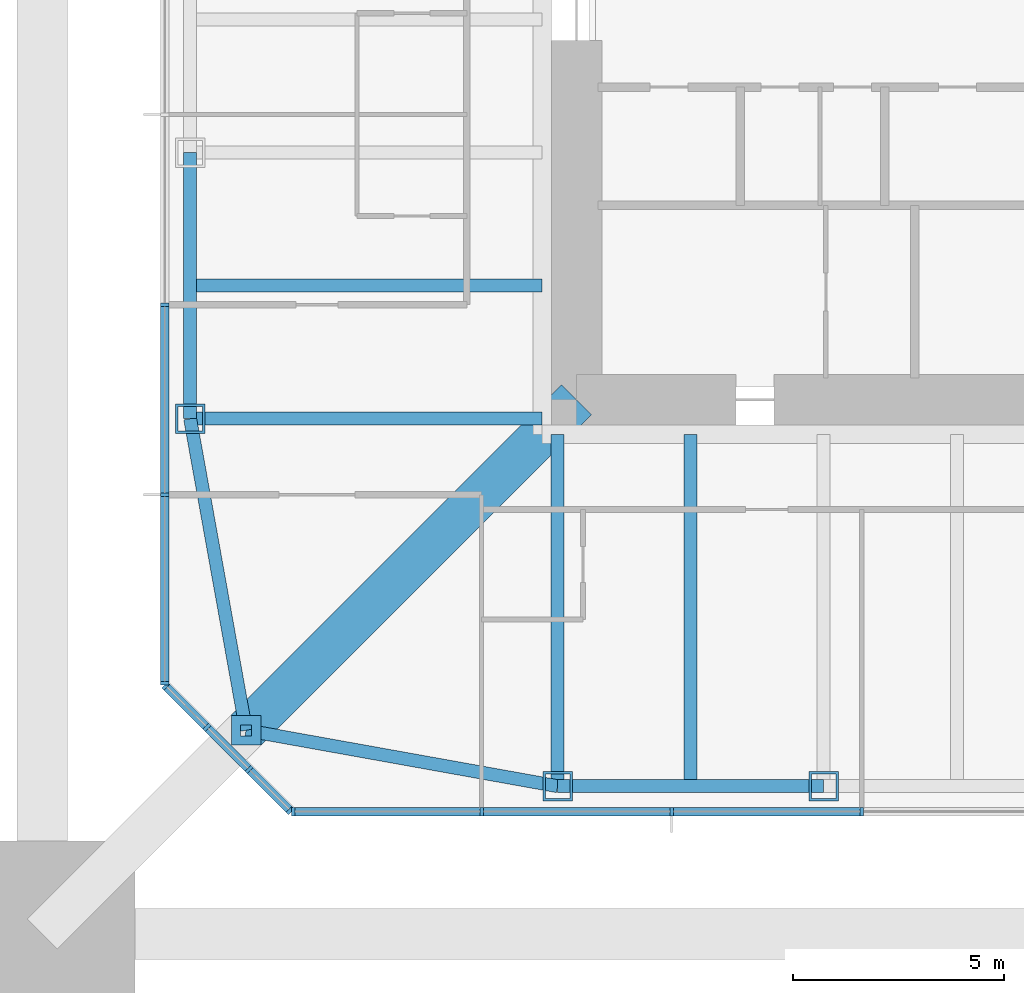
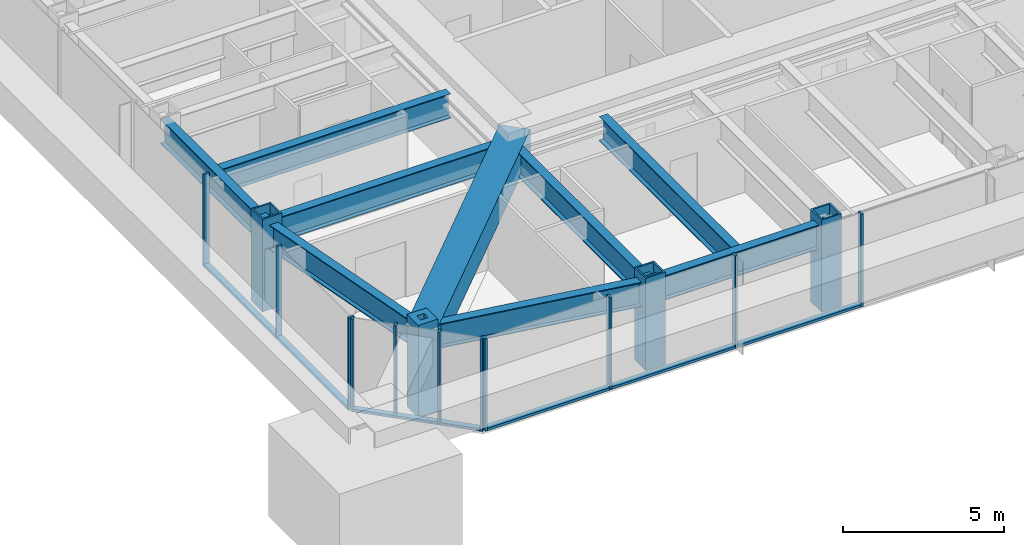
# One storey, part 2 of 15: 24 members, 8 beams, 3 elements without a shape of their own.
"""IFC4 building model written with IfcOpenShell, lengths in metres."""

from ifc_helpers import new_model, si_unit, direction, frame, origin, origin_2d, place, context, subcontext, project, spatial, rectangle, hollow_rectangle, i_section, extrude, material, material_profile, profile_set, type_object, element, aggregate, save


model = new_model("IFC4")

# Units and contexts
model_context = context("Model", 3, precision=1e-05, world=origin(), true_north=direction((0.0, 1.0)))
body_context = subcontext(model_context, "Body", "Model", "MODEL_VIEW")
ifc_project = project(units=[si_unit("LENGTHUNIT", "METRE"), si_unit("AREAUNIT", "SQUARE_METRE"), si_unit("VOLUMEUNIT", "CUBIC_METRE"), si_unit("PLANEANGLEUNIT", "RADIAN"), si_unit("MASSUNIT", "GRAM", prefix="KILO")], contexts=[model_context])

# Site, building, storey
site_placement = place(None, origin())
site = spatial("IfcSite", under=ifc_project, at=site_placement, CompositionType="ELEMENT")
building_placement = place(site_placement, origin())
building = spatial("IfcBuilding", under=site, at=building_placement, Name="Iwan Alto Co-Living Towers", CompositionType="ELEMENT")
storey_placement = place(building_placement, frame((0.0, 0.0, 205.5)))
storey = spatial("IfcBuildingStorey", under=building, at=storey_placement, Name="L56", CompositionType="ELEMENT", Elevation=205.5)

# Curtain wall, members
ifc_material_1 = material(Name="Bronze aluminium unitised frame", Category="aluminium")
curtain_wall_type_1 = type_object("IfcCurtainWallType", Name="CURTAIN WALL CW-A", PredefinedType="NOTDEFINED", material=ifc_material_1)
curtain_wall_1_placement = place(storey_placement, origin())
curtain_wall_1 = element("IfcCurtainWall", 1, at=curtain_wall_1_placement, inside=storey, type_object=curtain_wall_type_1, Name="T1 curtain wall S L56", PredefinedType="NOTDEFINED")
ifc_material_2 = material(Name="Aluminium 6063-T6 bronze anodised", Category="aluminium")
ifc_material_profile_1 = material_profile(ifc_material_2, rectangle(XDim=0.199951171875, YDim=0.080078125, at=origin_2d()), Name="AL 80X200")
ifc_profile_set_1 = profile_set([ifc_material_profile_1], Name="Aluminium 6063-T6 bronze anodised")
member_type_1 = type_object("IfcMemberType", Name="CW-A MULLION 80X200", PredefinedType="MULLION", material=ifc_profile_set_1)
member_1_placement = place(storey_placement, frame((-15.7099609375, -18.75, 0.0), z_axis=(0.0, 0.0, 1.0), x_axis=(0.0, 1.0, 0.0)))
member_1 = element("IfcMember", 2, at=member_1_placement, type_object=member_type_1, Name="CW-A mullion 1", PredefinedType="MULLION", context=body_context, shape_type="SweptSolid", body=[
    extrude(rectangle(XDim=0.199951171875, YDim=0.080078125, at=origin_2d()), origin(), (0.0, 0.0, 1.0), 3.5),
])
member_2_placement = place(storey_placement, frame((-11.25, -18.75, 0.0), z_axis=(0.0, 0.0, 1.0), x_axis=(0.0, 1.0, 0.0)))
member_2 = element("IfcMember", 3, at=member_2_placement, type_object=member_type_1, Name="CW-A mullion 2", PredefinedType="MULLION", context=body_context, shape_type="SweptSolid", body=[
    extrude(rectangle(XDim=0.199951171875, YDim=0.080078125, at=origin_2d()), origin(), (0.0, 0.0, 1.0), 3.5),
])
member_3_placement = place(storey_placement, frame((-6.75, -18.75, 0.0), z_axis=(0.0, 0.0, 1.0), x_axis=(0.0, 1.0, 0.0)))
member_3 = element("IfcMember", 4, at=member_3_placement, type_object=member_type_1, Name="CW-A mullion 3", PredefinedType="MULLION", context=body_context, shape_type="SweptSolid", body=[
    extrude(rectangle(XDim=0.199951171875, YDim=0.080078125, at=origin_2d()), origin(), (0.0, 0.0, 1.0), 3.5),
])
member_4_placement = place(storey_placement, frame((-2.25, -18.75, 0.0), z_axis=(0.0, 0.0, 1.0), x_axis=(0.0, 1.0, 0.0)))
member_4 = element("IfcMember", 5, at=member_4_placement, type_object=member_type_1, Name="CW-A mullion 4", PredefinedType="MULLION", context=body_context, shape_type="SweptSolid", body=[
    extrude(rectangle(XDim=0.199951171875, YDim=0.080078125, at=origin_2d()), origin(), (0.0, 0.0, 1.0), 3.5),
])

curtain_wall_2_placement = place(storey_placement, origin())
curtain_wall_2 = element("IfcCurtainWall", 6, at=curtain_wall_2_placement, inside=storey, type_object=curtain_wall_type_1, Name="T1 curtain wall W L56", PredefinedType="NOTDEFINED")
member_5_placement = place(storey_placement, frame((-18.75, -6.75, 0.0), z_axis=(0.0, 0.0, 1.0), x_axis=(1.0, 0.0, 0.0)))
member_5 = element("IfcMember", 7, at=member_5_placement, type_object=member_type_1, Name="CW-A mullion 6", PredefinedType="MULLION", context=body_context, shape_type="SweptSolid", body=[
    extrude(rectangle(XDim=0.199951171875, YDim=0.080078125, at=origin_2d()), origin(), (0.0, 0.0, 1.0), 3.5),
])
member_6_placement = place(storey_placement, frame((-18.75, -11.25, 0.0), z_axis=(0.0, 0.0, 1.0), x_axis=(1.0, 0.0, 0.0)))
member_6 = element("IfcMember", 8, at=member_6_placement, type_object=member_type_1, Name="CW-A mullion 7", PredefinedType="MULLION", context=body_context, shape_type="SweptSolid", body=[
    extrude(rectangle(XDim=0.199951171875, YDim=0.080078125, at=origin_2d()), origin(), (0.0, 0.0, 1.0), 3.5),
])
member_7_placement = place(storey_placement, frame((-18.75, -15.7099609375, 0.0), z_axis=(0.0, 0.0, 1.0), x_axis=(1.0, 0.0, 0.0)))
member_7 = element("IfcMember", 9, at=member_7_placement, type_object=member_type_1, Name="CW-A mullion 8", PredefinedType="MULLION", context=body_context, shape_type="SweptSolid", body=[
    extrude(rectangle(XDim=0.199951171875, YDim=0.080078125, at=origin_2d()), origin(), (0.0, 0.0, 1.0), 3.5),
])

# Member
ifc_material_3 = material(Name="Aluminium 6063-T6 bronze anodised", Category="aluminium")
ifc_material_profile_2 = material_profile(ifc_material_3, rectangle(XDim=0.199951171875, YDim=0.10009765625, at=origin_2d()), Name="AL 200X100")
ifc_profile_set_2 = profile_set([ifc_material_profile_2], Name="Aluminium 6063-T6 bronze anodised")
member_type_2 = type_object("IfcMemberType", Name="CW-A TRANSOM 200X100", PredefinedType="USERDEFINED", material=ifc_profile_set_2)
member_8_placement = place(storey_placement, frame((-15.669921875, -18.75, 0.050048828125), z_axis=(1.0, 0.0, 0.0), x_axis=(0.0, 1.0, 0.0)))
member_8 = element("IfcMember", 10, at=member_8_placement, type_object=member_type_2, Name="CW-A transom 1.1", ObjectType="TRANSOM", PredefinedType="USERDEFINED", context=body_context, shape_type="SweptSolid", body=[
    extrude(rectangle(XDim=0.199951171875, YDim=0.10009765625, at=origin_2d()), origin(), (0.0, 0.0, 1.0), 4.3798828125),
])

member_9_placement = place(storey_placement, frame((-11.2099609375, -18.75, 0.050048828125), z_axis=(1.0, 0.0, 0.0), x_axis=(0.0, 1.0, 0.0)))
member_9 = element("IfcMember", 11, at=member_9_placement, type_object=member_type_2, Name="CW-A transom 2.1", ObjectType="TRANSOM", PredefinedType="USERDEFINED", context=body_context, shape_type="SweptSolid", body=[
    extrude(rectangle(XDim=0.199951171875, YDim=0.10009765625, at=origin_2d()), origin(), (0.0, 0.0, 1.0), 4.419921875),
])

member_10_placement = place(storey_placement, frame((-6.7099609375, -18.75, 0.050048828125), z_axis=(1.0, 0.0, 0.0), x_axis=(0.0, 1.0, 0.0)))
member_10 = element("IfcMember", 12, at=member_10_placement, type_object=member_type_2, Name="CW-A transom 3.1", ObjectType="TRANSOM", PredefinedType="USERDEFINED", context=body_context, shape_type="SweptSolid", body=[
    extrude(rectangle(XDim=0.199951171875, YDim=0.10009765625, at=origin_2d()), origin(), (0.0, 0.0, 1.0), 4.419921875),
])

aggregate(curtain_wall_1, [member_1, member_2, member_3, member_4, member_8, member_9, member_10])

member_11_placement = place(storey_placement, frame((-18.75, -6.7900390625, 0.050048828125), z_axis=(0.0, -1.0, 0.0), x_axis=(1.0, 0.0, 0.0)))
member_11 = element("IfcMember", 13, at=member_11_placement, type_object=member_type_2, Name="CW-A transom 6.1", ObjectType="TRANSOM", PredefinedType="USERDEFINED", context=body_context, shape_type="SweptSolid", body=[
    extrude(rectangle(XDim=0.199951171875, YDim=0.10009765625, at=origin_2d()), origin(), (0.0, 0.0, 1.0), 4.419921875),
])

member_12_placement = place(storey_placement, frame((-18.75, -11.2900390625, 0.050048828125), z_axis=(0.0, -1.0, 0.0), x_axis=(1.0, 0.0, 0.0)))
member_12 = element("IfcMember", 14, at=member_12_placement, type_object=member_type_2, Name="CW-A transom 7.1", ObjectType="TRANSOM", PredefinedType="USERDEFINED", context=body_context, shape_type="SweptSolid", body=[
    extrude(rectangle(XDim=0.199951171875, YDim=0.10009765625, at=origin_2d()), origin(), (0.0, 0.0, 1.0), 4.3798828125),
])

aggregate(curtain_wall_2, [member_5, member_6, member_7, member_11, member_12])

# Curtain wall, members
ifc_material_4 = material(Name="Bronze aluminium unitised frame", Category="aluminium")
curtain_wall_type_2 = type_object("IfcCurtainWallType", Name="CURTAIN WALL CW-B", PredefinedType="NOTDEFINED", material=ifc_material_4)
curtain_wall_3_placement = place(storey_placement, origin())
curtain_wall_3 = element("IfcCurtainWall", 15, at=curtain_wall_3_placement, inside=storey, type_object=curtain_wall_type_2, Name="T1 chamfer curtain wall SW L56", PredefinedType="NOTDEFINED")
ifc_material_5 = material(Name="Aluminium 6063-T6 bronze anodised", Category="aluminium")
ifc_material_profile_3 = material_profile(ifc_material_5, rectangle(XDim=0.199951171875, YDim=0.080078125, at=origin_2d()), Name="AL 80X200")
ifc_profile_set_3 = profile_set([ifc_material_profile_3], Name="Aluminium 6063-T6 bronze anodised")
member_type_3 = type_object("IfcMemberType", Name="CW-B MULLION 80X200", PredefinedType="MULLION", material=ifc_profile_set_3)
member_13_placement = place(storey_placement, frame((-18.7216796875, -15.7783203125, 0.0), z_axis=(0.0, 0.0, 1.0), x_axis=(0.707106781187, 0.707106781187, 0.0)))
member_13 = element("IfcMember", 16, at=member_13_placement, type_object=member_type_3, Name="CW-B mullion 1", PredefinedType="MULLION", context=body_context, shape_type="SweptSolid", body=[
    extrude(rectangle(XDim=0.199951171875, YDim=0.080078125, at=origin_2d()), origin(), (0.0, 0.0, 1.0), 3.5),
])
member_14_placement = place(storey_placement, frame((-17.75, -16.75, 0.0), z_axis=(0.0, 0.0, 1.0), x_axis=(0.707106781187, 0.707106781187, 0.0)))
member_14 = element("IfcMember", 17, at=member_14_placement, type_object=member_type_3, Name="CW-B mullion 2", PredefinedType="MULLION", context=body_context, shape_type="SweptSolid", body=[
    extrude(rectangle(XDim=0.199951171875, YDim=0.080078125, at=origin_2d()), origin(), (0.0, 0.0, 1.0), 3.5),
])
member_15_placement = place(storey_placement, frame((-16.75, -17.75, 0.0), z_axis=(0.0, 0.0, 1.0), x_axis=(0.707106781187, 0.707106781187, 0.0)))
member_15 = element("IfcMember", 18, at=member_15_placement, type_object=member_type_3, Name="CW-B mullion 3", PredefinedType="MULLION", context=body_context, shape_type="SweptSolid", body=[
    extrude(rectangle(XDim=0.199951171875, YDim=0.080078125, at=origin_2d()), origin(), (0.0, 0.0, 1.0), 3.5),
])
member_16_placement = place(storey_placement, frame((-15.7783203125, -18.7216796875, 0.0), z_axis=(0.0, 0.0, 1.0), x_axis=(0.707106781187, 0.707106781187, 0.0)))
member_16 = element("IfcMember", 19, at=member_16_placement, type_object=member_type_3, Name="CW-B mullion 4", PredefinedType="MULLION", context=body_context, shape_type="SweptSolid", body=[
    extrude(rectangle(XDim=0.199951171875, YDim=0.080078125, at=origin_2d()), origin(), (0.0, 0.0, 1.0), 3.5),
])
ifc_material_6 = material(Name="Aluminium 6063-T6 bronze anodised", Category="aluminium")
ifc_material_profile_4 = material_profile(ifc_material_6, rectangle(XDim=0.199951171875, YDim=0.10009765625, at=origin_2d()), Name="AL 200X100")
ifc_profile_set_4 = profile_set([ifc_material_profile_4], Name="Aluminium 6063-T6 bronze anodised")
member_type_4 = type_object("IfcMemberType", Name="CW-B TRANSOM 200X100", PredefinedType="USERDEFINED", material=ifc_profile_set_4)
member_17_placement = place(storey_placement, frame((-18.693359375, -15.806640625, 0.050048828125), z_axis=(0.707106781187, -0.707106781187, 0.0), x_axis=(0.707106781187, 0.707106781187, 0.0)))
member_17 = element("IfcMember", 20, at=member_17_placement, type_object=member_type_4, Name="CW-B transom 1.1", ObjectType="TRANSOM", PredefinedType="USERDEFINED", context=body_context, shape_type="SweptSolid", body=[
    extrude(rectangle(XDim=0.199951171875, YDim=0.10009765625, at=origin_2d()), origin(), (0.0, 0.0, 1.0), 1.2939453125),
])
member_18_placement = place(storey_placement, frame((-17.7216796875, -16.7783203125, 0.050048828125), z_axis=(0.707106781187, -0.707106781187, 0.0), x_axis=(0.707106781187, 0.707106781187, 0.0)))
member_18 = element("IfcMember", 21, at=member_18_placement, type_object=member_type_4, Name="CW-B transom 2.1", ObjectType="TRANSOM", PredefinedType="USERDEFINED", context=body_context, shape_type="SweptSolid", body=[
    extrude(rectangle(XDim=0.199951171875, YDim=0.10009765625, at=origin_2d()), origin(), (0.0, 0.0, 1.0), 1.334228515625),
])
member_19_placement = place(storey_placement, frame((-16.7216796875, -17.7783203125, 0.050048828125), z_axis=(0.707106781187, -0.707106781187, 0.0), x_axis=(0.707106781187, 0.707106781187, 0.0)))
member_19 = element("IfcMember", 22, at=member_19_placement, type_object=member_type_4, Name="CW-B transom 3.1", ObjectType="TRANSOM", PredefinedType="USERDEFINED", context=body_context, shape_type="SweptSolid", body=[
    extrude(rectangle(XDim=0.199951171875, YDim=0.10009765625, at=origin_2d()), origin(), (0.0, 0.0, 1.0), 1.2939453125),
])
aggregate(curtain_wall_3, [member_13, member_14, member_15, member_16, member_17, member_18, member_19])

# Beams
ifc_material_7 = material(Name="Steel ASTM A992 Gr 50", Category="steel")
ifc_material_profile_5 = material_profile(ifc_material_7, i_section(OverallWidth=0.307373046875, OverallDepth=0.927001953125, WebThickness=0.01953125, FlangeThickness=0.031982421875, at=origin_2d()), Name="W36X194")
ifc_profile_set_5 = profile_set([ifc_material_profile_5], Name="Steel ASTM A992 Gr 50")
beam_type_1 = type_object("IfcBeamType", Name="T1 BELT TRUSS CHORD W36X194", PredefinedType="BEAM", material=ifc_profile_set_5)
beam_1_placement = place(storey_placement, frame((-16.82568359375, -16.82568359375, 2.736328125), z_axis=(0.98426263553, -0.17671181143, 0.0), x_axis=(0.17671181143, 0.98426263553, 0.0)))
element("IfcBeam", 23, at=beam_1_placement, inside=storey, type_object=beam_type_1, Name="T1 edge beam CSW L57", PredefinedType="BEAM", context=body_context, shape_type="SweptSolid", body=[
    extrude(i_section(OverallWidth=0.307373046875, OverallDepth=0.927001953125, WebThickness=0.01953125, FlangeThickness=0.031982421875, at=origin_2d()), origin(), (0.0, 0.0, 1.0), 7.49365234375),
])
for number, where, z_axis, x_axis, name in (
    (24, (-9.449951171875, -18.14990234375, 2.736328125), (1.0, 0.0, 0.0), (0.0, 1.0, 0.0), "T1 edge beam S1 L57"),
    (25, (-18.14990234375, -3.14990234375, 2.736328125), (0.0, -1.0, 0.0), (1.0, 0.0, 0.0), "T1 edge beam W3 L57"),
):
    element("IfcBeam", number, at=place(storey_placement, frame(where, z_axis=z_axis, x_axis=x_axis)), inside=storey, type_object=beam_type_1, Name=name, PredefinedType="BEAM", context=body_context, shape_type="SweptSolid", body=[
        extrude(i_section(OverallWidth=0.307373046875, OverallDepth=0.927001953125, WebThickness=0.01953125, FlangeThickness=0.031982421875, at=origin_2d()), origin(), (0.0, 0.0, 1.0), 6.300048828125),
    ])
beam_2_placement = place(storey_placement, frame((-18.14990234375, -9.449951171875, 2.736328125), z_axis=(0.17671181143, -0.98426263553, 0.0), x_axis=(0.98426263553, 0.17671181143, 0.0)))
element("IfcBeam", 26, at=beam_2_placement, inside=storey, type_object=beam_type_1, Name="T1 edge beam W4 L57", PredefinedType="BEAM", context=body_context, shape_type="SweptSolid", body=[
    extrude(i_section(OverallWidth=0.307373046875, OverallDepth=0.927001953125, WebThickness=0.01953125, FlangeThickness=0.031982421875, at=origin_2d()), origin(), (0.0, 0.0, 1.0), 7.49365234375),
])

# Members
ifc_material_8 = material(Name="Steel ASTM A36", Category="steel")
ifc_material_profile_6 = material_profile(ifc_material_8, hollow_rectangle(XDim=0.699951171875, YDim=0.699951171875, WallThickness=0.219970703125, at=origin_2d()), Name="BOX 700X700X220")
ifc_profile_set_6 = profile_set([ifc_material_profile_6], Name="Steel ASTM A36")
member_type_5 = type_object("IfcMemberType", Name="T1 HEAVY RING POST AT STEP BOX 700X700X220", PredefinedType="MEMBER", material=ifc_profile_set_6)
member_20_placement = place(storey_placement, frame((-16.82568359375, -16.82568359375, 0.0), z_axis=(0.0, 0.0, 1.0), x_axis=(1.0, 0.0, 0.0)))
element("IfcMember", 27, at=member_20_placement, inside=storey, type_object=member_type_5, Name="T1 ring post at step CSW L56", PredefinedType="MEMBER", context=body_context, shape_type="SweptSolid", body=[
    extrude(hollow_rectangle(XDim=0.699951171875, YDim=0.699951171875, WallThickness=0.219970703125, at=origin_2d()), origin(), (0.0, 0.0, 1.0), 3.5),
])
ifc_material_9 = material(Name="Steel ASTM A572 Gr 50", Category="steel")
ifc_material_profile_7 = material_profile(ifc_material_9, hollow_rectangle(XDim=1.0, YDim=1.0, WallThickness=0.070068359375, at=origin_2d()), Name="BOX 1000X1000X70")
ifc_profile_set_7 = profile_set([ifc_material_profile_7], Name="Steel ASTM A572 Gr 50")
member_type_6 = type_object("IfcMemberType", Name="T1 OUTRIGGER CHORD BOX 1000X1000X70", PredefinedType="CHORD", material=ifc_profile_set_7)
member_21_placement = place(storey_placement, frame((-9.0, -9.0, 2.699951171875), z_axis=(-0.707106781187, -0.707106781187, 0.0), x_axis=(0.707106781187, -0.707106781187, 0.0)))
element("IfcMember", 28, at=member_21_placement, inside=storey, type_object=member_type_6, Name="T1 outrigger SW L57 bottom chord 1", PredefinedType="CHORD", context=body_context, shape_type="SweptSolid", body=[
    extrude(hollow_rectangle(XDim=1.0, YDim=1.0, WallThickness=0.070068359375, at=origin_2d()), origin(), (0.0, 0.0, 1.0), 11.067138671875),
])

# Beams
ifc_material_10 = material(Name="Steel ASTM A992 Gr 50", Category="steel")
ifc_material_profile_8 = material_profile(ifc_material_10, i_section(OverallWidth=0.307373046875, OverallDepth=0.927001953125, WebThickness=0.01953125, FlangeThickness=0.031982421875, at=origin_2d()), Name="W36X194")
ifc_profile_set_8 = profile_set([ifc_material_profile_8], Name="Steel ASTM A992 Gr 50")
beam_type_2 = type_object("IfcBeamType", Name="T1 RADIAL BEAM W36X194", PredefinedType="BEAM", material=ifc_profile_set_8)
for number, where, z_axis, x_axis, name in (
    (29, (-9.449951171875, -18.14990234375, 2.736328125), (0.0, 1.0, 0.0), (-1.0, 0.0, 0.0), "T1 radial beam S1 L57"),
    (30, (-18.14990234375, -9.449951171875, 2.736328125), (1.0, 0.0, 0.0), (0.0, 1.0, 0.0), "T1 radial beam W4 L57"),
):
    element("IfcBeam", number, at=place(storey_placement, frame(where, z_axis=z_axis, x_axis=x_axis)), inside=storey, type_object=beam_type_2, Name=name, PredefinedType="BEAM", context=body_context, shape_type="SweptSolid", body=[
        extrude(i_section(OverallWidth=0.307373046875, OverallDepth=0.927001953125, WebThickness=0.01953125, FlangeThickness=0.031982421875, at=origin_2d()), origin(), (0.0, 0.0, 1.0), 8.33154296875),
    ])

# Members
ifc_material_11 = material(Name="Steel ASTM A572 Gr 50", Category="steel")
ifc_material_profile_9 = material_profile(ifc_material_11, hollow_rectangle(XDim=0.699951171875, YDim=0.699951171875, WallThickness=0.06005859375, at=origin_2d()), Name="BOX 700X700X60")
ifc_profile_set_9 = profile_set([ifc_material_profile_9], Name="Steel ASTM A572 Gr 50")
member_type_7 = type_object("IfcMemberType", Name="T1 RING POST AT STEP BOX 700X700X60", PredefinedType="MEMBER", material=ifc_profile_set_9)
for number, where, z_axis, x_axis, name in (
    (31, (-9.449951171875, -18.14990234375, 0.0), (0.0, 0.0, 1.0), (1.0, 0.0, 0.0), "T1 ring post at step S1 L56"),
    (32, (-3.14990234375, -18.14990234375, 0.0), (0.0, 0.0, 1.0), (1.0, 0.0, 0.0), "T1 ring post at step S2 L56"),
    (33, (-18.14990234375, -9.449951171875, 0.0), (0.0, 0.0, 1.0), (1.0, 0.0, 0.0), "T1 ring post at step W4 L56"),
):
    element("IfcMember", number, at=place(storey_placement, frame(where, z_axis=z_axis, x_axis=x_axis)), inside=storey, type_object=member_type_7, Name=name, PredefinedType="MEMBER", context=body_context, shape_type="SweptSolid", body=[
        extrude(hollow_rectangle(XDim=0.699951171875, YDim=0.699951171875, WallThickness=0.06005859375, at=origin_2d()), origin(), (0.0, 0.0, 1.0), 3.5),
    ])

# Beams
ifc_material_12 = material(Name="Steel ASTM A992 Gr 50", Category="steel")
ifc_material_profile_10 = material_profile(ifc_material_12, i_section(OverallWidth=0.307373046875, OverallDepth=0.927001953125, WebThickness=0.01953125, FlangeThickness=0.031982421875, at=origin_2d()), Name="W36X194")
ifc_profile_set_10 = profile_set([ifc_material_profile_10], Name="Steel ASTM A992 Gr 50")
beam_type_3 = type_object("IfcBeamType", Name="T1 SECONDARY BEAM W36X194", PredefinedType="JOIST", material=ifc_profile_set_10)
for number, where, z_axis, x_axis, name in (
    (34, (-6.300048828125, -18.14990234375, 2.736328125), (0.0, 1.0, 0.0), (-1.0, 0.0, 0.0), "T1 secondary beam S1 L57"),
    (35, (-18.14990234375, -6.300048828125, 2.736328125), (1.0, 0.0, 0.0), (0.0, 1.0, 0.0), "T1 secondary beam W3 L57"),
):
    element("IfcBeam", number, at=place(storey_placement, frame(where, z_axis=z_axis, x_axis=x_axis)), inside=storey, type_object=beam_type_3, Name=name, PredefinedType="JOIST", context=body_context, shape_type="SweptSolid", body=[
        extrude(i_section(OverallWidth=0.307373046875, OverallDepth=0.927001953125, WebThickness=0.01953125, FlangeThickness=0.031982421875, at=origin_2d()), origin(), (0.0, 0.0, 1.0), 8.33154296875),
    ])

save(model, "model.ifc")
